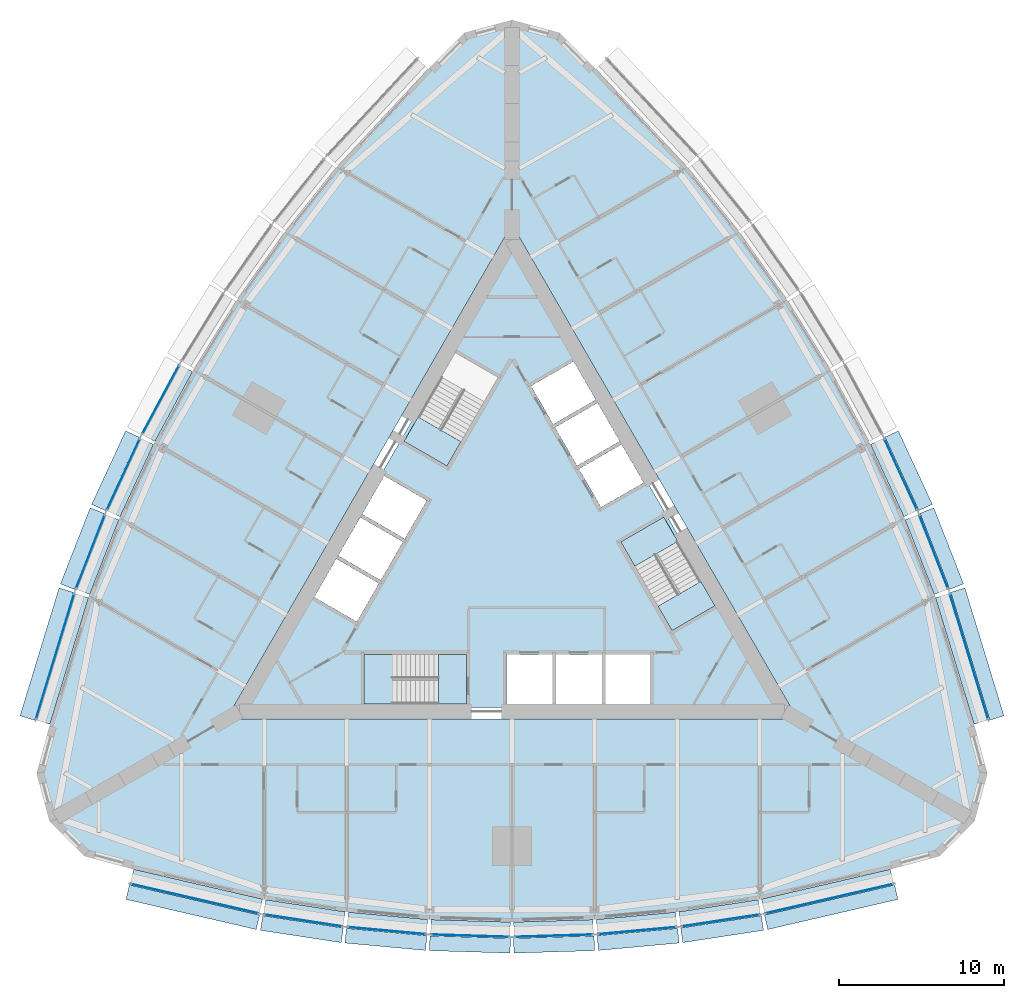
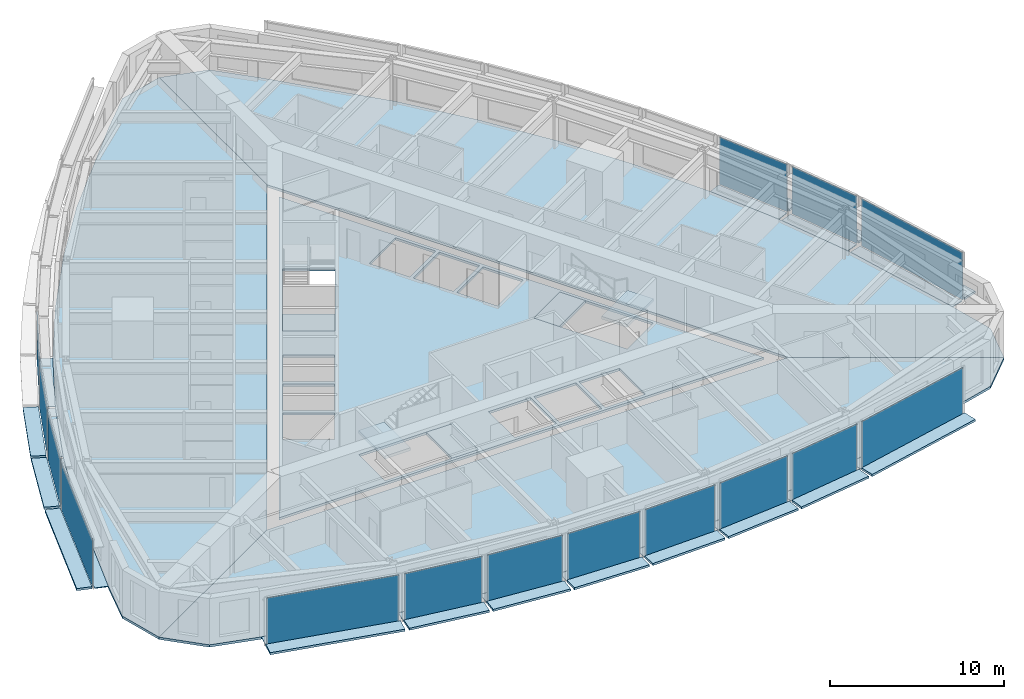
# One storey, part 6 of 14: 44 plates, 9 slabs, 18 elements without a shape of their own.
"""IFC4 building model written with IfcOpenShell, lengths in metres."""

from ifc_helpers import new_model, si_unit, direction, frame, origin, origin_2d, place, context, subcontext, project, spatial, polyline, rectangle, outline, extrude, material, layer, layer_set, type_object, element, aggregate, save


model = new_model("IFC4")

# Units and contexts
model_context = context("Model", 3, precision=1e-05, world=origin(), true_north=direction((0.0, 1.0)))
body_context = subcontext(model_context, "Body", "Model", "MODEL_VIEW")
ifc_project = project(units=[si_unit("LENGTHUNIT", "METRE"), si_unit("AREAUNIT", "SQUARE_METRE"), si_unit("VOLUMEUNIT", "CUBIC_METRE"), si_unit("PLANEANGLEUNIT", "RADIAN"), si_unit("MASSUNIT", "GRAM", prefix="KILO")], contexts=[model_context])

# Site, building, storey
site_placement = place(None, origin())
site = spatial("IfcSite", under=ifc_project, at=site_placement, CompositionType="ELEMENT")
building_placement = place(site_placement, origin())
building = spatial("IfcBuilding", under=site, at=building_placement, Name="Trikona Tower", CompositionType="ELEMENT")
storey_placement = place(building_placement, frame((0.0, 0.0, 52.300048828125)))
storey = spatial("IfcBuildingStorey", under=building, at=storey_placement, Name="L12", CompositionType="ELEMENT", Elevation=52.300048828125)

# Plates
ifc_material_1 = material(Name="Aluminium bar grating", Category="aluminium")
ifc_layer_1 = layer(ifc_material_1, 0.050048828125)
ifc_layer_set_1 = layer_set([ifc_layer_1], Name="Cavity catwalk grating")
plate_type_1 = type_object("IfcPlateType", Name="Cavity catwalk grating", PredefinedType="USERDEFINED", material=ifc_layer_set_1)
plate_1_placement = place(storey_placement, frame((-19.09228515625, -20.377197265625, -0.05029296875), z_axis=(0.0, 0.0, 1.0), x_axis=(0.974277718622, -0.225350675607, 0.0)))
element("IfcPlate", 1, at=plate_1_placement, inside=storey, type_object=plate_type_1, Name="Cavity catwalk L12-00", ObjectType="CATWALK GRATING", PredefinedType="USERDEFINED", context=body_context, shape_type="SweptSolid", body=[
    extrude(rectangle(XDim=8.01123046875, YDim=0.820068359375, at=origin_2d()), origin(), (0.0, 0.0, 1.0), 0.050048828125),
])
plate_2_placement = place(storey_placement, frame((-12.561767578125, -21.688720703125, -0.05029296875), z_axis=(0.0, 0.0, 1.0), x_axis=(0.988617896768, -0.150448177754, 0.0)))
element("IfcPlate", 2, at=plate_2_placement, inside=storey, type_object=plate_type_1, Name="Cavity catwalk L12-01", ObjectType="CATWALK GRATING", PredefinedType="USERDEFINED", context=body_context, shape_type="SweptSolid", body=[
    extrude(rectangle(XDim=4.857666015625, YDim=0.820068359375, at=origin_2d()), origin(), (0.0, 0.0, 1.0), 0.050048828125),
])
plate_3_placement = place(storey_placement, frame((-7.537353515625, -22.300537109375, -0.05029296875), z_axis=(0.0, 0.0, 1.0), x_axis=(0.995858098326, -0.090921108655, 0.0)))
element("IfcPlate", 3, at=plate_3_placement, inside=storey, type_object=plate_type_1, Name="Cavity catwalk L12-02", ObjectType="CATWALK GRATING", PredefinedType="USERDEFINED", context=body_context, shape_type="SweptSolid", body=[
    extrude(rectangle(XDim=4.82080078125, YDim=0.820068359375, at=origin_2d()), origin(), (0.0, 0.0, 1.0), 0.050048828125),
])
for number, where, z_axis, x_axis, name in (
    (4, (-2.512451171875, -22.606201171875, -0.05029296875), (0.0, 0.0, 1.0), (0.999537048889, -0.030425119525, 0.0), "Cavity catwalk L12-03"),
    (5, (2.512451171875, -22.606201171875, -0.05029296875), (0.0, 0.0, 1.0), (0.999537048889, 0.030425119525, 0.0), "Cavity catwalk L12-04"),
):
    element("IfcPlate", number, at=place(storey_placement, frame(where, z_axis=z_axis, x_axis=x_axis)), inside=storey, type_object=plate_type_1, Name=name, ObjectType="CATWALK GRATING", PredefinedType="USERDEFINED", context=body_context, shape_type="SweptSolid", body=[
        extrude(rectangle(XDim=4.80224609375, YDim=0.820068359375, at=origin_2d()), origin(), (0.0, 0.0, 1.0), 0.050048828125),
    ])
plate_4_placement = place(storey_placement, frame((7.537353515625, -22.300537109375, -0.05029296875), z_axis=(0.0, 0.0, 1.0), x_axis=(0.995858098326, 0.090921108655, 0.0)))
element("IfcPlate", 6, at=plate_4_placement, inside=storey, type_object=plate_type_1, Name="Cavity catwalk L12-05", ObjectType="CATWALK GRATING", PredefinedType="USERDEFINED", context=body_context, shape_type="SweptSolid", body=[
    extrude(rectangle(XDim=4.82080078125, YDim=0.820068359375, at=origin_2d()), origin(), (0.0, 0.0, 1.0), 0.050048828125),
])
plate_5_placement = place(storey_placement, frame((12.561767578125, -21.688720703125, -0.05029296875), z_axis=(0.0, 0.0, 1.0), x_axis=(0.988617896768, 0.150448177754, 0.0)))
element("IfcPlate", 7, at=plate_5_placement, inside=storey, type_object=plate_type_1, Name="Cavity catwalk L12-06", ObjectType="CATWALK GRATING", PredefinedType="USERDEFINED", context=body_context, shape_type="SweptSolid", body=[
    extrude(rectangle(XDim=4.857666015625, YDim=0.820068359375, at=origin_2d()), origin(), (0.0, 0.0, 1.0), 0.050048828125),
])
for number, where, z_axis, x_axis, name in (
    (8, (19.09228515625, -20.377197265625, -0.05029296875), (0.0, 0.0, 1.0), (0.974277718622, 0.225350675607, 0.0), "Cavity catwalk L12-07"),
    (9, (27.193359375, -6.345947265625, -0.05029296875), (0.0, 0.0, 1.0), (-0.291979449475, 0.956424592471, 0.0), "Cavity catwalk L12-12"),
):
    element("IfcPlate", number, at=place(storey_placement, frame(where, z_axis=z_axis, x_axis=x_axis)), inside=storey, type_object=plate_type_1, Name=name, ObjectType="CATWALK GRATING", PredefinedType="USERDEFINED", context=body_context, shape_type="SweptSolid", body=[
        extrude(rectangle(XDim=8.01123046875, YDim=0.820068359375, at=origin_2d()), origin(), (0.0, 0.0, 1.0), 0.050048828125),
    ])
plate_6_placement = place(storey_placement, frame((25.06396484375, -0.034423828125, -0.05029296875), z_axis=(0.0, 0.0, 1.0), x_axis=(-0.364008876551, 0.931395478726, 0.0)))
element("IfcPlate", 10, at=plate_6_placement, inside=storey, type_object=plate_type_1, Name="Cavity catwalk L12-13", ObjectType="CATWALK GRATING", PredefinedType="USERDEFINED", context=body_context, shape_type="SweptSolid", body=[
    extrude(rectangle(XDim=4.857666015625, YDim=0.820068359375, at=origin_2d()), origin(), (0.0, 0.0, 1.0), 0.050048828125),
])
plate_7_placement = place(storey_placement, frame((23.081298828125, 4.622802734375, -0.05029296875), z_axis=(0.0, 0.0, 1.0), x_axis=(-0.41919381307, 0.907896771161, 0.0)))
element("IfcPlate", 11, at=plate_7_placement, inside=storey, type_object=plate_type_1, Name="Cavity catwalk L12-14", ObjectType="CATWALK GRATING", PredefinedType="USERDEFINED", context=body_context, shape_type="SweptSolid", body=[
    extrude(rectangle(XDim=4.82080078125, YDim=0.820068359375, at=origin_2d()), origin(), (0.0, 0.0, 1.0), 0.050048828125),
])
plate_8_placement = place(storey_placement, frame((-20.833740234375, 9.127197265625, -0.05029296875), z_axis=(0.0, 0.0, 1.0), x_axis=(-0.473422672721, -0.880835383572, 0.0)))
element("IfcPlate", 12, at=plate_8_placement, inside=storey, type_object=plate_type_1, Name="Cavity catwalk L12-28", ObjectType="CATWALK GRATING", PredefinedType="USERDEFINED", context=body_context, shape_type="SweptSolid", body=[
    extrude(rectangle(XDim=4.80224609375, YDim=0.820068359375, at=origin_2d()), origin(), (0.0, 0.0, 1.0), 0.050048828125),
])
plate_9_placement = place(storey_placement, frame((-23.081298828125, 4.622802734375, -0.05029296875), z_axis=(0.0, 0.0, 1.0), x_axis=(-0.41919381307, -0.907896771161, 0.0)))
element("IfcPlate", 13, at=plate_9_placement, inside=storey, type_object=plate_type_1, Name="Cavity catwalk L12-29", ObjectType="CATWALK GRATING", PredefinedType="USERDEFINED", context=body_context, shape_type="SweptSolid", body=[
    extrude(rectangle(XDim=4.82080078125, YDim=0.820068359375, at=origin_2d()), origin(), (0.0, 0.0, 1.0), 0.050048828125),
])
plate_10_placement = place(storey_placement, frame((-25.06396484375, -0.034423828125, -0.05029296875), z_axis=(0.0, 0.0, 1.0), x_axis=(-0.364008876551, -0.931395478726, 0.0)))
element("IfcPlate", 14, at=plate_10_placement, inside=storey, type_object=plate_type_1, Name="Cavity catwalk L12-30", ObjectType="CATWALK GRATING", PredefinedType="USERDEFINED", context=body_context, shape_type="SweptSolid", body=[
    extrude(rectangle(XDim=4.857666015625, YDim=0.820068359375, at=origin_2d()), origin(), (0.0, 0.0, 1.0), 0.050048828125),
])
plate_11_placement = place(storey_placement, frame((-27.193359375, -6.345947265625, -0.05029296875), z_axis=(0.0, 0.0, 1.0), x_axis=(-0.291979449475, -0.956424592471, 0.0)))
element("IfcPlate", 15, at=plate_11_placement, inside=storey, type_object=plate_type_1, Name="Cavity catwalk L12-31", ObjectType="CATWALK GRATING", PredefinedType="USERDEFINED", context=body_context, shape_type="SweptSolid", body=[
    extrude(rectangle(XDim=8.01123046875, YDim=0.820068359375, at=origin_2d()), origin(), (0.0, 0.0, 1.0), 0.050048828125),
])

# Slabs
ifc_material_2 = material(Name="Concrete f'c 5000 psi lightweight on composite steel deck", Category="concrete")
ifc_layer_2 = layer(ifc_material_2, 0.1650390625)
ifc_layer_set_2 = layer_set([ifc_layer_2], Name="Composite floor slab 165")
slab_type_1 = type_object("IfcSlabType", Name="Composite floor slab 165", PredefinedType="FLOOR", material=ifc_layer_set_2)
slab_1_placement = place(storey_placement, frame((0.0, 0.0, -0.1650390625)))
element("IfcSlab", 16, at=slab_1_placement, inside=storey, type_object=slab_type_1, Name="Floor slab L12 core", PredefinedType="FLOOR", context=body_context, shape_type="SweptSolid", body=[
    extrude(outline(polyline([(-16.06689453125, -9.2763671875), (16.06689453125, -9.2763671875), (0.0, 18.552490234375), (-16.06689453125, -9.2763671875)]), holes=[polyline([(12.285400390625, -3.126220703125), (9.185302734375, 2.2431640625), (6.587158203125, 0.7431640625), (9.687255859375, -4.626220703125), (12.285400390625, -3.126220703125)]), polyline([(8.340087890625, -9.06640625), (8.340087890625, -6.086181640625), (5.659912109375, -6.086181640625), (5.659912109375, -9.06640625), (8.340087890625, -9.06640625)]), polyline([(5.390869140625, 2.835205078125), (7.9716796875, 4.3251953125), (6.631591796875, 6.646240234375), (4.05078125, 5.15625), (5.390869140625, 2.835205078125)]), polyline([(2.600830078125, 7.667724609375), (3.94091796875, 5.3466796875), (6.521484375, 6.8369140625), (5.181640625, 9.15771484375), (2.600830078125, 7.667724609375)]), polyline([(5.43994140625, -6.086181640625), (2.659912109375, -6.086181640625), (2.659912109375, -9.06640625), (5.43994140625, -9.06640625), (5.43994140625, -6.086181640625)]), polyline([(3.731689453125, 11.669189453125), (1.15087890625, 10.17919921875), (2.490966796875, 7.858154296875), (5.071533203125, 9.34814453125), (3.731689453125, 11.669189453125)]), polyline([(-0.340087890625, -6.086181640625), (-0.340087890625, -9.06640625), (2.43994140625, -9.06640625), (2.43994140625, -6.086181640625), (-0.340087890625, -6.086181640625)]), polyline([(-3.435302734375, 12.202392578125), (-6.535400390625, 6.8330078125), (-3.937255859375, 5.3330078125), (-0.837158203125, 10.702392578125), (-3.435302734375, 12.202392578125)]), polyline([(-8.949951171875, -9.076416015625), (-2.75, -9.076416015625), (-2.75, -6.076416015625), (-8.949951171875, -6.076416015625), (-8.949951171875, -9.076416015625)]), polyline([(-5.15087890625, 3.2509765625), (-7.731689453125, 4.740966796875), (-9.071533203125, 2.419921875), (-6.490966796875, 0.929931640625), (-5.15087890625, 3.2509765625)]), polyline([(-7.94091796875, -1.581298828125), (-6.600830078125, 0.739501953125), (-9.181640625, 2.2294921875), (-10.521484375, -0.09130859375), (-7.94091796875, -1.581298828125)]), polyline([(-11.9716796875, -2.602783203125), (-9.390869140625, -4.093017578125), (-8.05078125, -1.77197265625), (-10.631591796875, -0.281982421875), (-11.9716796875, -2.602783203125)])]), origin(), (0.0, 0.0, 1.0), 0.1650390625),
])
slab_2_placement = place(storey_placement, frame((0.0, 0.0, -0.1650390625)))
element("IfcSlab", 17, at=slab_2_placement, inside=storey, type_object=slab_type_1, Name="Floor slab L12 south", PredefinedType="FLOOR", context=body_context, shape_type="SweptSolid", body=[
    extrude(outline(polyline([(25.88671875, -18.279052734375), (28.0, -16.165771484375), (17.279296875, -9.976318359375), (-17.279296875, -9.976318359375), (-28.0, -16.165771484375), (-25.88671875, -18.279052734375), (-23.0, -19.052490234375), (-15.0, -20.903076171875), (-10.0, -21.663818359375), (-5.0, -22.120361328125), (0.0, -22.272705078125), (5.0, -22.120361328125), (10.0, -21.663818359375), (15.0, -20.903076171875), (23.0, -19.052490234375), (25.88671875, -18.279052734375)])), origin(), (0.0, 0.0, 1.0), 0.1650390625),
])
slab_3_placement = place(storey_placement, frame((0.0, 0.0, -0.1650390625)))
element("IfcSlab", 18, at=slab_3_placement, inside=storey, type_object=slab_type_1, Name="Floor slab L12 north-east", PredefinedType="FLOOR", context=body_context, shape_type="SweptSolid", body=[
    extrude(outline(polyline([(2.88671875, 31.55810546875), (0.0, 32.33154296875), (0.0, 19.95263671875), (17.279296875, -9.976318359375), (28.0, -16.165771484375), (28.7734375, -13.279052734375), (28.0, -10.392333984375), (25.6025390625, -2.538818359375), (23.761474609375, 2.171630859375), (21.65673828125, 6.72998046875), (19.28857421875, 11.13623046875), (16.65673828125, 15.390380859375), (13.761474609375, 19.4921875), (10.6025390625, 23.44189453125), (5.0, 29.44482421875), (2.88671875, 31.55810546875)])), origin(), (0.0, 0.0, 1.0), 0.1650390625),
])
slab_4_placement = place(storey_placement, frame((0.0, 0.0, -0.1650390625)))
element("IfcSlab", 19, at=slab_4_placement, inside=storey, type_object=slab_type_1, Name="Floor slab L12 north-west", PredefinedType="FLOOR", context=body_context, shape_type="SweptSolid", body=[
    extrude(outline(polyline([(0.0, 19.95263671875), (0.0, 32.33154296875), (-2.88671875, 31.55810546875), (-5.0, 29.44482421875), (-10.6025390625, 23.44189453125), (-13.761474609375, 19.4921875), (-16.65673828125, 15.390380859375), (-19.28857421875, 11.13623046875), (-21.65673828125, 6.72998046875), (-23.761474609375, 2.171630859375), (-25.6025390625, -2.538818359375), (-28.0, -10.392333984375), (-28.7734375, -13.279052734375), (-28.0, -16.165771484375), (-17.279296875, -9.976318359375), (0.0, 19.95263671875)])), origin(), (0.0, 0.0, 1.0), 0.1650390625),
])

# Curtain wall, plate
ifc_material_3 = material(Name="Aluminium curtain wall system", Category="aluminium")
curtain_wall_type = type_object("IfcCurtainWallType", Name="Curtain wall DS1", PredefinedType="NOTDEFINED", material=ifc_material_3)
curtain_wall_1_placement = place(storey_placement, origin())
curtain_wall_1 = element("IfcCurtainWall", 20, at=curtain_wall_1_placement, inside=storey, type_object=curtain_wall_type, Name="Curtain wall DS1 L12", PredefinedType="NOTDEFINED")
ifc_material_4 = material(Name="Laminated clear glass", Category="glass")
ifc_layer_3 = layer(ifc_material_4, 0.028076171875)
ifc_layer_set_3 = layer_set([ifc_layer_3], Name="Glass panel DS1")
plate_type_2 = type_object("IfcPlateType", Name="Glass panel DS1", PredefinedType="CURTAIN_PANEL", material=ifc_layer_set_3)
plate_12_placement = place(storey_placement, frame((-19.202880859375, -20.854736328125, 0.0), z_axis=(0.0, 0.0, 1.0), x_axis=(0.974279427173, -0.225343288756, 0.0)))
plate_12 = element("IfcPlate", 21, at=plate_12_placement, type_object=plate_type_2, Name="CW-DS1 panel 1.1", PredefinedType="CURTAIN_PANEL", context=body_context, shape_type="SweptSolid", body=[
    extrude(rectangle(XDim=7.93115234375, YDim=0.028076171875, at=origin_2d()), origin(), (0.0, 0.0, 1.0), 3.320068359375),
])
aggregate(curtain_wall_1, [plate_12])

curtain_wall_2_placement = place(storey_placement, origin())
curtain_wall_2 = element("IfcCurtainWall", 22, at=curtain_wall_2_placement, inside=storey, type_object=curtain_wall_type, Name="Curtain wall DS1 L12", PredefinedType="NOTDEFINED")
plate_13_placement = place(storey_placement, frame((-12.635498046875, -22.173095703125, 0.0), z_axis=(0.0, 0.0, 1.0), x_axis=(0.988619492156, -0.150437693845, 0.0)))
plate_13 = element("IfcPlate", 23, at=plate_13_placement, type_object=plate_type_2, Name="CW-DS1 panel 1.1", PredefinedType="CURTAIN_PANEL", context=body_context, shape_type="SweptSolid", body=[
    extrude(rectangle(XDim=4.777587890625, YDim=0.028076171875, at=origin_2d()), origin(), (0.0, 0.0, 1.0), 3.320068359375),
])
aggregate(curtain_wall_2, [plate_13])

curtain_wall_3_placement = place(storey_placement, origin())
curtain_wall_3 = element("IfcCurtainWall", 24, at=curtain_wall_3_placement, inside=storey, type_object=curtain_wall_type, Name="Curtain wall DS1 L12", PredefinedType="NOTDEFINED")
plate_14_placement = place(storey_placement, frame((-7.581787109375, -22.788330078125, 0.0), z_axis=(0.0, 0.0, 1.0), x_axis=(0.995857840485, -0.090923932737, 0.0)))
plate_14 = element("IfcPlate", 25, at=plate_14_placement, type_object=plate_type_2, Name="CW-DS1 panel 1.1", PredefinedType="CURTAIN_PANEL", context=body_context, shape_type="SweptSolid", body=[
    extrude(rectangle(XDim=4.74072265625, YDim=0.028076171875, at=origin_2d()), origin(), (0.0, 0.0, 1.0), 3.320068359375),
])
aggregate(curtain_wall_3, [plate_14])

curtain_wall_4_placement = place(storey_placement, origin())
curtain_wall_4 = element("IfcCurtainWall", 26, at=curtain_wall_4_placement, inside=storey, type_object=curtain_wall_type, Name="Curtain wall DS1 L12", PredefinedType="NOTDEFINED")
plate_15_placement = place(storey_placement, frame((-2.52734375, -23.09619140625, 0.0), z_axis=(0.0, 0.0, 1.0), x_axis=(0.999536695965, -0.030436711692, 0.0)))
plate_15 = element("IfcPlate", 27, at=plate_15_placement, type_object=plate_type_2, Name="CW-DS1 panel 1.1", PredefinedType="CURTAIN_PANEL", context=body_context, shape_type="SweptSolid", body=[
    extrude(rectangle(XDim=4.72216796875, YDim=0.028076171875, at=origin_2d()), origin(), (0.0, 0.0, 1.0), 3.320068359375),
])
aggregate(curtain_wall_4, [plate_15])

curtain_wall_5_placement = place(storey_placement, origin())
curtain_wall_5 = element("IfcCurtainWall", 28, at=curtain_wall_5_placement, inside=storey, type_object=curtain_wall_type, Name="Curtain wall DS1 L12", PredefinedType="NOTDEFINED")
plate_16_placement = place(storey_placement, frame((2.52734375, -23.09619140625, 0.0), z_axis=(0.0, 0.0, 1.0), x_axis=(0.999536695965, 0.030436711692, 0.0)))
plate_16 = element("IfcPlate", 29, at=plate_16_placement, type_object=plate_type_2, Name="CW-DS1 panel 1.1", PredefinedType="CURTAIN_PANEL", context=body_context, shape_type="SweptSolid", body=[
    extrude(rectangle(XDim=4.72216796875, YDim=0.028076171875, at=origin_2d()), origin(), (0.0, 0.0, 1.0), 3.320068359375),
])
aggregate(curtain_wall_5, [plate_16])

curtain_wall_6_placement = place(storey_placement, origin())
curtain_wall_6 = element("IfcCurtainWall", 30, at=curtain_wall_6_placement, inside=storey, type_object=curtain_wall_type, Name="Curtain wall DS1 L12", PredefinedType="NOTDEFINED")
plate_17_placement = place(storey_placement, frame((7.581787109375, -22.788330078125, 0.0), z_axis=(0.0, 0.0, 1.0), x_axis=(0.995857840485, 0.090923932737, 0.0)))
plate_17 = element("IfcPlate", 31, at=plate_17_placement, type_object=plate_type_2, Name="CW-DS1 panel 1.1", PredefinedType="CURTAIN_PANEL", context=body_context, shape_type="SweptSolid", body=[
    extrude(rectangle(XDim=4.74072265625, YDim=0.028076171875, at=origin_2d()), origin(), (0.0, 0.0, 1.0), 3.320068359375),
])
aggregate(curtain_wall_6, [plate_17])

curtain_wall_7_placement = place(storey_placement, origin())
curtain_wall_7 = element("IfcCurtainWall", 32, at=curtain_wall_7_placement, inside=storey, type_object=curtain_wall_type, Name="Curtain wall DS1 L12", PredefinedType="NOTDEFINED")
plate_18_placement = place(storey_placement, frame((12.635498046875, -22.173095703125, 0.0), z_axis=(0.0, 0.0, 1.0), x_axis=(0.988619492156, 0.150437693845, 0.0)))
plate_18 = element("IfcPlate", 33, at=plate_18_placement, type_object=plate_type_2, Name="CW-DS1 panel 1.1", PredefinedType="CURTAIN_PANEL", context=body_context, shape_type="SweptSolid", body=[
    extrude(rectangle(XDim=4.777587890625, YDim=0.028076171875, at=origin_2d()), origin(), (0.0, 0.0, 1.0), 3.320068359375),
])
aggregate(curtain_wall_7, [plate_18])

curtain_wall_8_placement = place(storey_placement, origin())
curtain_wall_8 = element("IfcCurtainWall", 34, at=curtain_wall_8_placement, inside=storey, type_object=curtain_wall_type, Name="Curtain wall DS1 L12", PredefinedType="NOTDEFINED")
plate_19_placement = place(storey_placement, frame((19.202880859375, -20.854736328125, 0.0), z_axis=(0.0, 0.0, 1.0), x_axis=(0.974279427173, 0.225343288756, 0.0)))
plate_19 = element("IfcPlate", 35, at=plate_19_placement, type_object=plate_type_2, Name="CW-DS1 panel 1.1", PredefinedType="CURTAIN_PANEL", context=body_context, shape_type="SweptSolid", body=[
    extrude(rectangle(XDim=7.93115234375, YDim=0.028076171875, at=origin_2d()), origin(), (0.0, 0.0, 1.0), 3.320068359375),
])
aggregate(curtain_wall_8, [plate_19])

curtain_wall_9_placement = place(storey_placement, origin())
curtain_wall_9 = element("IfcCurtainWall", 36, at=curtain_wall_9_placement, inside=storey, type_object=curtain_wall_type, Name="Curtain wall DS1 L12", PredefinedType="NOTDEFINED")
plate_20_placement = place(storey_placement, frame((27.662109375, -6.202880859375, 0.0), z_axis=(0.0, 0.0, 1.0), x_axis=(-0.291984287868, 0.956423115383, 0.0)))
plate_20 = element("IfcPlate", 37, at=plate_20_placement, type_object=plate_type_2, Name="CW-DS1 panel 1.1", PredefinedType="CURTAIN_PANEL", context=body_context, shape_type="SweptSolid", body=[
    extrude(rectangle(XDim=7.93115234375, YDim=0.028076171875, at=origin_2d()), origin(), (0.0, 0.0, 1.0), 3.320068359375),
])
aggregate(curtain_wall_9, [plate_20])

curtain_wall_10_placement = place(storey_placement, origin())
curtain_wall_10 = element("IfcCurtainWall", 38, at=curtain_wall_10_placement, inside=storey, type_object=curtain_wall_type, Name="Curtain wall DS1 L12", PredefinedType="NOTDEFINED")
plate_21_placement = place(storey_placement, frame((25.520263671875, 0.14404296875, 0.0), z_axis=(0.0, 0.0, 1.0), x_axis=(-0.36400756977, 0.931395989443, 0.0)))
plate_21 = element("IfcPlate", 39, at=plate_21_placement, type_object=plate_type_2, Name="CW-DS1 panel 1.1", PredefinedType="CURTAIN_PANEL", context=body_context, shape_type="SweptSolid", body=[
    extrude(rectangle(XDim=4.777587890625, YDim=0.028076171875, at=origin_2d()), origin(), (0.0, 0.0, 1.0), 3.320068359375),
])
aggregate(curtain_wall_10, [plate_21])

curtain_wall_11_placement = place(storey_placement, origin())
curtain_wall_11 = element("IfcCurtainWall", 40, at=curtain_wall_11_placement, inside=storey, type_object=curtain_wall_type, Name="Curtain wall DS1 L12", PredefinedType="NOTDEFINED")
plate_22_placement = place(storey_placement, frame((23.5263671875, 4.828125, 0.0), z_axis=(0.0, 0.0, 1.0), x_axis=(-0.419190155352, 0.907898459992, 0.0)))
plate_22 = element("IfcPlate", 41, at=plate_22_placement, type_object=plate_type_2, Name="CW-DS1 panel 1.1", PredefinedType="CURTAIN_PANEL", context=body_context, shape_type="SweptSolid", body=[
    extrude(rectangle(XDim=4.740966796875, YDim=0.028076171875, at=origin_2d()), origin(), (0.0, 0.0, 1.0), 3.320068359375),
])
aggregate(curtain_wall_11, [plate_22])

curtain_wall_12_placement = place(storey_placement, origin())
curtain_wall_12 = element("IfcCurtainWall", 42, at=curtain_wall_12_placement, inside=storey, type_object=curtain_wall_type, Name="Curtain wall DS1 L12", PredefinedType="NOTDEFINED")
plate_23_placement = place(storey_placement, frame((-21.265380859375, 9.359130859375, 0.0), z_axis=(0.0, 0.0, 1.0), x_axis=(-0.473408350896, -0.880843080975, 0.0)))
plate_23 = element("IfcPlate", 43, at=plate_23_placement, type_object=plate_type_2, Name="CW-DS1 panel 1.1", PredefinedType="CURTAIN_PANEL", context=body_context, shape_type="SweptSolid", body=[
    extrude(rectangle(XDim=4.72216796875, YDim=0.028076171875, at=origin_2d()), origin(), (0.0, 0.0, 1.0), 3.320068359375),
])
aggregate(curtain_wall_12, [plate_23])

curtain_wall_13_placement = place(storey_placement, origin())
curtain_wall_13 = element("IfcCurtainWall", 44, at=curtain_wall_13_placement, inside=storey, type_object=curtain_wall_type, Name="Curtain wall DS1 L12", PredefinedType="NOTDEFINED")
plate_24_placement = place(storey_placement, frame((-23.5263671875, 4.828125, 0.0), z_axis=(0.0, 0.0, 1.0), x_axis=(-0.419190155352, -0.907898459992, 0.0)))
plate_24 = element("IfcPlate", 45, at=plate_24_placement, type_object=plate_type_2, Name="CW-DS1 panel 1.1", PredefinedType="CURTAIN_PANEL", context=body_context, shape_type="SweptSolid", body=[
    extrude(rectangle(XDim=4.740966796875, YDim=0.028076171875, at=origin_2d()), origin(), (0.0, 0.0, 1.0), 3.320068359375),
])
aggregate(curtain_wall_13, [plate_24])

curtain_wall_14_placement = place(storey_placement, origin())
curtain_wall_14 = element("IfcCurtainWall", 46, at=curtain_wall_14_placement, inside=storey, type_object=curtain_wall_type, Name="Curtain wall DS1 L12", PredefinedType="NOTDEFINED")
plate_25_placement = place(storey_placement, frame((-25.520263671875, 0.14404296875, 0.0), z_axis=(0.0, 0.0, 1.0), x_axis=(-0.36400756977, -0.931395989443, 0.0)))
plate_25 = element("IfcPlate", 47, at=plate_25_placement, type_object=plate_type_2, Name="CW-DS1 panel 1.1", PredefinedType="CURTAIN_PANEL", context=body_context, shape_type="SweptSolid", body=[
    extrude(rectangle(XDim=4.777587890625, YDim=0.028076171875, at=origin_2d()), origin(), (0.0, 0.0, 1.0), 3.320068359375),
])
aggregate(curtain_wall_14, [plate_25])

curtain_wall_15_placement = place(storey_placement, origin())
curtain_wall_15 = element("IfcCurtainWall", 48, at=curtain_wall_15_placement, inside=storey, type_object=curtain_wall_type, Name="Curtain wall DS1 L12", PredefinedType="NOTDEFINED")
plate_26_placement = place(storey_placement, frame((-27.662109375, -6.202880859375, 0.0), z_axis=(0.0, 0.0, 1.0), x_axis=(-0.291984287868, -0.956423115383, 0.0)))
plate_26 = element("IfcPlate", 49, at=plate_26_placement, type_object=plate_type_2, Name="CW-DS1 panel 1.1", PredefinedType="CURTAIN_PANEL", context=body_context, shape_type="SweptSolid", body=[
    extrude(rectangle(XDim=7.93115234375, YDim=0.028076171875, at=origin_2d()), origin(), (0.0, 0.0, 1.0), 3.320068359375),
])
aggregate(curtain_wall_15, [plate_26])

# Plates
ifc_material_5 = material(Name="Aluminium plate fin, pale anodised, on stainless steel outriggers", Category="steel")
ifc_layer_4 = layer(ifc_material_5, 0.14990234375)
ifc_layer_set_4 = layer_set([ifc_layer_4], Name="Outer skin fin 900")
plate_type_3 = type_object("IfcPlateType", Name="Outer skin fin 900", PredefinedType="USERDEFINED", material=ifc_layer_set_4)
plate_27_placement = place(storey_placement, frame((-19.322265625, -21.37109375, 0.0), z_axis=(0.0, 0.0, 1.0), x_axis=(0.974277718622, -0.225350675607, 0.0)))
element("IfcPlate", 50, at=plate_27_placement, inside=storey, type_object=plate_type_3, Name="Outer skin fin L12-00", ObjectType="FIN", PredefinedType="USERDEFINED", context=body_context, shape_type="SweptSolid", body=[
    extrude(rectangle(XDim=8.09130859375, YDim=0.89990234375, at=origin_2d()), origin(), (0.0, 0.0, 1.0), 0.14990234375),
])
plate_28_placement = place(storey_placement, frame((-12.715087890625, -22.697265625, 0.0), z_axis=(0.0, 0.0, 1.0), x_axis=(0.988617896768, -0.150448177754, 0.0)))
element("IfcPlate", 51, at=plate_28_placement, inside=storey, type_object=plate_type_3, Name="Outer skin fin L12-01", ObjectType="FIN", PredefinedType="USERDEFINED", context=body_context, shape_type="SweptSolid", body=[
    extrude(rectangle(XDim=4.9375, YDim=0.89990234375, at=origin_2d()), origin(), (0.0, 0.0, 1.0), 0.14990234375),
])
plate_29_placement = place(storey_placement, frame((-7.6298828125, -23.316162109375, 0.0), z_axis=(0.0, 0.0, 1.0), x_axis=(0.995858098326, -0.090921108655, 0.0)))
element("IfcPlate", 52, at=plate_29_placement, inside=storey, type_object=plate_type_3, Name="Outer skin fin L12-02", ObjectType="FIN", PredefinedType="USERDEFINED", context=body_context, shape_type="SweptSolid", body=[
    extrude(rectangle(XDim=4.90087890625, YDim=0.89990234375, at=origin_2d()), origin(), (0.0, 0.0, 1.0), 0.14990234375),
])
for number, where, z_axis, x_axis, name in (
    (53, (-2.54345703125, -23.625732421875, 0.0), (0.0, 0.0, 1.0), (0.999537048889, -0.030425119525, 0.0), "Outer skin fin L12-03"),
    (54, (2.54345703125, -23.625732421875, 0.0), (0.0, 0.0, 1.0), (0.999537048889, 0.030425119525, 0.0), "Outer skin fin L12-04"),
):
    element("IfcPlate", number, at=place(storey_placement, frame(where, z_axis=z_axis, x_axis=x_axis)), inside=storey, type_object=plate_type_3, Name=name, ObjectType="FIN", PredefinedType="USERDEFINED", context=body_context, shape_type="SweptSolid", body=[
        extrude(rectangle(XDim=4.88232421875, YDim=0.89990234375, at=origin_2d()), origin(), (0.0, 0.0, 1.0), 0.14990234375),
    ])
plate_30_placement = place(storey_placement, frame((7.6298828125, -23.316162109375, 0.0), z_axis=(0.0, 0.0, 1.0), x_axis=(0.995858098326, 0.090921108655, 0.0)))
element("IfcPlate", 55, at=plate_30_placement, inside=storey, type_object=plate_type_3, Name="Outer skin fin L12-05", ObjectType="FIN", PredefinedType="USERDEFINED", context=body_context, shape_type="SweptSolid", body=[
    extrude(rectangle(XDim=4.90087890625, YDim=0.89990234375, at=origin_2d()), origin(), (0.0, 0.0, 1.0), 0.14990234375),
])
plate_31_placement = place(storey_placement, frame((12.715087890625, -22.697265625, 0.0), z_axis=(0.0, 0.0, 1.0), x_axis=(0.988617896768, 0.150448177754, 0.0)))
element("IfcPlate", 56, at=plate_31_placement, inside=storey, type_object=plate_type_3, Name="Outer skin fin L12-06", ObjectType="FIN", PredefinedType="USERDEFINED", context=body_context, shape_type="SweptSolid", body=[
    extrude(rectangle(XDim=4.9375, YDim=0.89990234375, at=origin_2d()), origin(), (0.0, 0.0, 1.0), 0.14990234375),
])
for number, where, z_axis, x_axis, name in (
    (57, (19.322265625, -21.37109375, 0.0), (0.0, 0.0, 1.0), (0.974277718622, 0.225350675607, 0.0), "Outer skin fin L12-07"),
    (58, (28.1689453125, -6.048095703125, 0.0), (0.0, 0.0, 1.0), (-0.291979449475, 0.956424592471, 0.0), "Outer skin fin L12-12"),
):
    element("IfcPlate", number, at=place(storey_placement, frame(where, z_axis=z_axis, x_axis=x_axis)), inside=storey, type_object=plate_type_3, Name=name, ObjectType="FIN", PredefinedType="USERDEFINED", context=body_context, shape_type="SweptSolid", body=[
        extrude(rectangle(XDim=8.09130859375, YDim=0.89990234375, at=origin_2d()), origin(), (0.0, 0.0, 1.0), 0.14990234375),
    ])
plate_32_placement = place(storey_placement, frame((26.013916015625, 0.3369140625, 0.0), z_axis=(0.0, 0.0, 1.0), x_axis=(-0.364008876551, 0.931395478726, 0.0)))
element("IfcPlate", 59, at=plate_32_placement, inside=storey, type_object=plate_type_3, Name="Outer skin fin L12-13", ObjectType="FIN", PredefinedType="USERDEFINED", context=body_context, shape_type="SweptSolid", body=[
    extrude(rectangle(XDim=4.9375, YDim=0.89990234375, at=origin_2d()), origin(), (0.0, 0.0, 1.0), 0.14990234375),
])
for number, where, z_axis, x_axis, name in (
    (60, (24.00732421875, 5.05029296875, 0.0), (0.0, 0.0, 1.0), (-0.41919381307, 0.907896771161, 0.0), "Outer skin fin L12-14"),
    (61, (-24.00732421875, 5.05029296875, 0.0), (0.0, 0.0, 1.0), (-0.41919381307, -0.907896771161, 0.0), "Outer skin fin L12-29"),
):
    element("IfcPlate", number, at=place(storey_placement, frame(where, z_axis=z_axis, x_axis=x_axis)), inside=storey, type_object=plate_type_3, Name=name, ObjectType="FIN", PredefinedType="USERDEFINED", context=body_context, shape_type="SweptSolid", body=[
        extrude(rectangle(XDim=4.90087890625, YDim=0.89990234375, at=origin_2d()), origin(), (0.0, 0.0, 1.0), 0.14990234375),
    ])
plate_33_placement = place(storey_placement, frame((-26.013916015625, 0.3369140625, 0.0), z_axis=(0.0, 0.0, 1.0), x_axis=(-0.364008876551, -0.931395478726, 0.0)))
element("IfcPlate", 62, at=plate_33_placement, inside=storey, type_object=plate_type_3, Name="Outer skin fin L12-30", ObjectType="FIN", PredefinedType="USERDEFINED", context=body_context, shape_type="SweptSolid", body=[
    extrude(rectangle(XDim=4.9375, YDim=0.89990234375, at=origin_2d()), origin(), (0.0, 0.0, 1.0), 0.14990234375),
])
plate_34_placement = place(storey_placement, frame((-28.1689453125, -6.048095703125, 0.0), z_axis=(0.0, 0.0, 1.0), x_axis=(-0.291979449475, -0.956424592471, 0.0)))
element("IfcPlate", 63, at=plate_34_placement, inside=storey, type_object=plate_type_3, Name="Outer skin fin L12-31", ObjectType="FIN", PredefinedType="USERDEFINED", context=body_context, shape_type="SweptSolid", body=[
    extrude(rectangle(XDim=8.09130859375, YDim=0.89990234375, at=origin_2d()), origin(), (0.0, 0.0, 1.0), 0.14990234375),
])

# Stair, slabs
ifc_material_6 = material(Name="Concrete f'c 5000 psi", Category="concrete")
stair_type = type_object("IfcStairType", Name="Core stair", PredefinedType="HALF_TURN_STAIR", material=ifc_material_6)
stair_1_placement = place(storey_placement, origin())
stair_1 = element("IfcStair", 64, at=stair_1_placement, inside=storey, type_object=stair_type, Name="Stair A L12", PredefinedType="HALF_TURN_STAIR")
ifc_material_7 = material(Name="Concrete f'c 5000 psi", Category="concrete")
ifc_layer_5 = layer(ifc_material_7, 0.199951171875)
ifc_layer_set_5 = layer_set([ifc_layer_5], Name="Stair landing 200")
slab_type_2 = type_object("IfcSlabType", Name="Stair landing 200", PredefinedType="LANDING", material=ifc_layer_set_5)
slab_5_placement = place(storey_placement, frame((0.0, 0.0, -0.199951171875)))
slab_5 = element("IfcSlab", 65, at=slab_5_placement, type_object=slab_type_2, Name="ST-A landing 1", PredefinedType="LANDING", context=body_context, shape_type="SweptSolid", body=[
    extrude(outline(polyline([(-4.452880859375, -6.076416015625), (-2.75, -6.076416015625), (-2.75, -9.076416015625), (-4.452880859375, -9.076416015625), (-4.452880859375, -6.076416015625)])), origin(), (0.0, 0.0, 1.0), 0.199951171875),
])
slab_6_placement = place(storey_placement, frame((0.0, 0.0, 1.5)))
slab_6 = element("IfcSlab", 66, at=slab_6_placement, type_object=slab_type_2, Name="ST-A landing 2", PredefinedType="LANDING", context=body_context, shape_type="SweptSolid", body=[
    extrude(outline(polyline([(-8.949951171875, -6.076416015625), (-7.2470703125, -6.076416015625), (-7.2470703125, -9.076416015625), (-8.949951171875, -9.076416015625), (-8.949951171875, -6.076416015625)])), origin(), (0.0, 0.0, 1.0), 0.199951171875),
])
aggregate(stair_1, [slab_5, slab_6])

stair_2_placement = place(storey_placement, origin())
stair_2 = element("IfcStair", 67, at=stair_2_placement, inside=storey, type_object=stair_type, Name="Stair B L12", PredefinedType="HALF_TURN_STAIR")
slab_7_placement = place(storey_placement, frame((0.0, 0.0, -0.199951171875)))
slab_7 = element("IfcSlab", 68, at=slab_7_placement, type_object=slab_type_2, Name="ST-B landing 1", PredefinedType="LANDING", context=body_context, shape_type="SweptSolid", body=[
    extrude(outline(polyline([(7.438720703125, -0.731689453125), (6.587158203125, 0.7431640625), (9.185302734375, 2.2431640625), (10.036865234375, 0.768310546875), (7.438720703125, -0.731689453125)])), origin(), (0.0, 0.0, 1.0), 0.199951171875),
])
slab_8_placement = place(storey_placement, frame((0.0, 0.0, 1.5)))
slab_8 = element("IfcSlab", 69, at=slab_8_placement, type_object=slab_type_2, Name="ST-B landing 2", PredefinedType="LANDING", context=body_context, shape_type="SweptSolid", body=[
    extrude(outline(polyline([(9.687255859375, -4.626220703125), (8.835693359375, -3.1513671875), (11.433837890625, -1.6513671875), (12.285400390625, -3.126220703125), (9.687255859375, -4.626220703125)])), origin(), (0.0, 0.0, 1.0), 0.199951171875),
])
aggregate(stair_2, [slab_7, slab_8])

# Stair, slab
stair_3_placement = place(storey_placement, origin())
stair_3 = element("IfcStair", 70, at=stair_3_placement, inside=storey, type_object=stair_type, Name="Stair C L12", PredefinedType="HALF_TURN_STAIR")
slab_9_placement = place(storey_placement, frame((0.0, 0.0, -0.199951171875)))
slab_9 = element("IfcSlab", 71, at=slab_9_placement, type_object=slab_type_2, Name="ST-C landing 1", PredefinedType="LANDING", context=body_context, shape_type="SweptSolid", body=[
    extrude(outline(polyline([(-3.085693359375, 6.807861328125), (-3.937255859375, 5.3330078125), (-6.535400390625, 6.8330078125), (-5.683837890625, 8.307861328125), (-3.085693359375, 6.807861328125)])), origin(), (0.0, 0.0, 1.0), 0.199951171875),
])
aggregate(stair_3, [slab_9])

save(model, "model.ifc")
